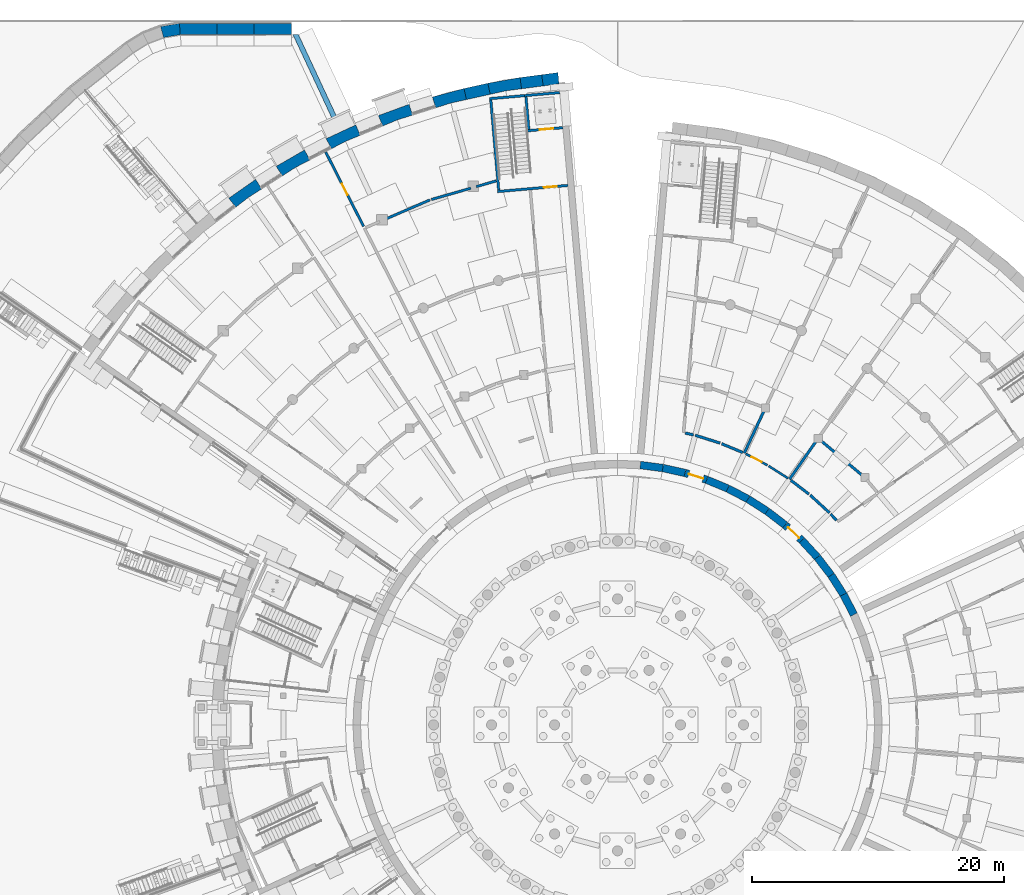
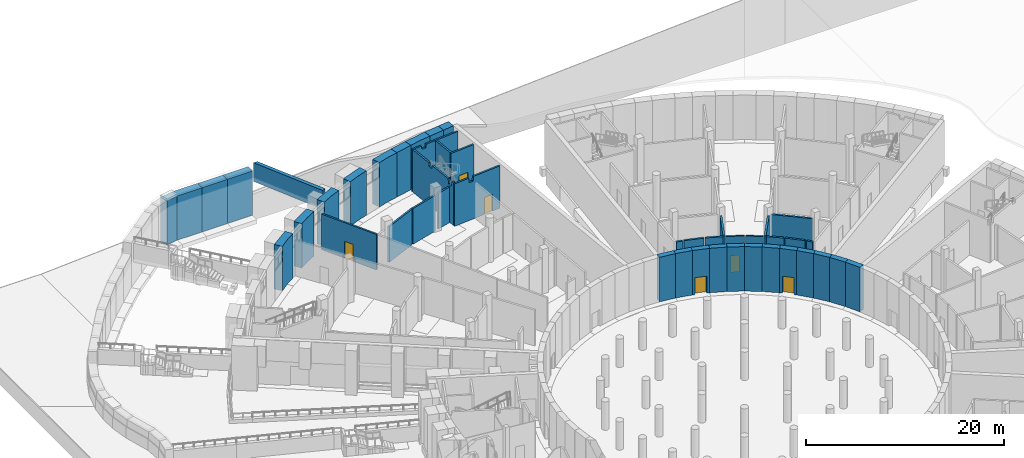
# One storey, part 46 of 65: 47 walls, 6 doors, 6 openings.
"""IFC4 building model written with IfcOpenShell, lengths in metres."""

from ifc_helpers import new_model, si_unit, direction, frame, frame_2d, origin, place, context, subcontext, project, spatial, polyline, rectangle, outline, extrude, material, layer, layer_set, type_object, element, fill, save


model = new_model("IFC4")

# Units and contexts
model_context = context("Model", 3, precision=1e-05, world=origin(), true_north=direction((0.0, 1.0)))
body_context = subcontext(model_context, "Body", "Model", "MODEL_VIEW")
ifc_project = project(units=[si_unit("LENGTHUNIT", "METRE"), si_unit("AREAUNIT", "SQUARE_METRE"), si_unit("VOLUMEUNIT", "CUBIC_METRE"), si_unit("PLANEANGLEUNIT", "RADIAN"), si_unit("MASSUNIT", "GRAM", prefix="KILO")], contexts=[model_context])

# Site, building, storey
site_placement = place(None, origin())
site = spatial("IfcSite", under=ifc_project, at=site_placement, CompositionType="ELEMENT")
building_placement = place(site_placement, origin())
building = spatial("IfcBuilding", under=site, at=building_placement, Name="Volute Hill Aquarium", CompositionType="ELEMENT")
storey_placement = place(building_placement, frame((0.0, 0.0, -5.5)))
storey = spatial("IfcBuildingStorey", under=building, at=storey_placement, Name="L00", CompositionType="ELEMENT", Elevation=-5.5)

# Wall, opening, door
ifc_material_1 = material(Name="Concrete C30/37", Category="concrete")
ifc_layer_1 = layer(ifc_material_1, 0.199951171875)
ifc_layer_set_1 = layer_set([ifc_layer_1], Name="Core wall 200 REI 60")
wall_type_1 = type_object("IfcWallType", Name="Core wall 200 REI 60", PredefinedType="SHEAR", material=ifc_layer_set_1)
wall_1_placement = place(storey_placement, frame((-3.947021484375, 42.81884765625, 0.0), z_axis=(0.0, 0.0, 1.0), x_axis=(-0.996195137027, -0.087150725554, 0.0)))
wall_1 = element("IfcWall", 1, at=wall_1_placement, inside=storey, type_object=wall_type_1, Name="wc/S6-A/L00/in", PredefinedType="SHEAR", context=body_context, shape_type="SweptSolid", body=[
    extrude(outline(polyline([(0.0, 0.0), (5.599853515625, 0.0), (5.60009765625, 5.25), (3.853271484375, 5.25), (3.80322265625, 4.679931640625), (3.30322265625, 4.679931640625), (3.253173828125, 5.25), (0.0, 5.25), (0.0, 0.0)])), frame((0.0, 0.10009765625, 0.0), z_axis=(0.0, -1.0, 0.0), x_axis=(1.0, 0.0, 0.0)), (0.0, 0.0, 1.0), 0.199951171875),
])
opening_1_placement = place(wall_1_placement, frame((0.89990234375, 0.0, 0.0)))
opening_1 = element("IfcOpeningElement", 2, at=opening_1_placement, cuts=wall_1, Name="Opening D6.00.AS", PredefinedType="OPENING", context=body_context, shape_type="SweptSolid", body=[
    extrude(rectangle(XDim=1.0, YDim=2.10009765625, at=frame_2d((0.5, 1.050048828125))), frame((0.0, 0.10986328125, 0.0), z_axis=(0.0, -1.0, 0.0), x_axis=(1.0, 0.0, 0.0)), (0.0, 0.0, 1.0), 0.219970703125),
])
ifc_material_2 = material(Name="Timber, fire-rated", Category="wood")
door_type_1 = type_object("IfcDoorType", Name="Door 1000 x 2100 single EI1 30", OperationType="SINGLE_SWING_LEFT", PredefinedType="DOOR", material=ifc_material_2)
door_1_placement = place(opening_1_placement, origin())
door_1 = element("IfcDoor", 3, at=door_1_placement, inside=storey, type_object=door_type_1, Name="d/S6-A/L00/st", OperationType="SINGLE_SWING_RIGHT", OverallHeight=2.10009765625, OverallWidth=1.0, PredefinedType="DOOR", context=body_context, shape_type="SweptSolid", body=[
    extrude(rectangle(XDim=1.0, YDim=2.10009765625, at=frame_2d((0.5, 1.050048828125))), frame((0.0, 0.02490234375, 0.0), z_axis=(0.0, -1.0, 0.0), x_axis=(1.0, 0.0, 0.0)), (0.0, 0.0, 1.0), 0.050048828125),
])
fill(opening_1, door_1)

# Walls
wall_2_placement = place(storey_placement, frame((-9.434814453125, 42.439208984375, 0.0), z_axis=(0.0, 0.0, 1.0), x_axis=(-0.087144656612, 0.996195667941, 0.0)))
element("IfcWall", 4, at=wall_2_placement, inside=storey, type_object=wall_type_1, Name="wc/S6-A/L00/side", PredefinedType="SHEAR", context=body_context, shape_type="SweptSolid", body=[
    extrude(outline(polyline([(0.0, 0.0), (7.199951171875, 0.0), (7.199951171875, 5.25), (4.36767578125, 5.25), (4.317626953125, 4.830078125), (3.817626953125, 4.830078125), (3.767578125, 5.25), (0.942626953125, 5.25), (0.892578125, 4.6298828125), (0.392578125, 4.6298828125), (0.342529296875, 5.25), (0.0, 5.25), (0.0, 0.0)])), frame((0.0, 0.10009765625, 0.0), z_axis=(0.0, -1.0, 0.0), x_axis=(1.0, 0.0, 0.0)), (0.0, 0.0, 1.0), 0.199951171875),
])
wall_3_placement = place(storey_placement, frame((-7.381103515625, 49.94677734375, 0.0), z_axis=(0.0, 0.0, 1.0), x_axis=(-0.996192013865, -0.087186418157, 0.0)))
element("IfcWall", 5, at=wall_3_placement, inside=storey, type_object=wall_type_1, Name="wc/S6-A/L00/out-b", PredefinedType="SHEAR", context=body_context, shape_type="SweptSolid", body=[
    extrude(outline(polyline([(0.0, 0.0), (2.80029296875, 0.0), (2.800048828125, 5.25), (1.71826171875, 5.25), (1.668212890625, 4.830078125), (1.168212890625, 4.830078125), (1.1181640625, 5.25), (0.0, 5.25), (0.0, 0.0)])), frame((0.0, 0.10009765625, 0.0), z_axis=(0.0, -1.0, 0.0), x_axis=(1.0, 0.0, 0.0)), (0.0, 0.0, 1.0), 0.199951171875),
])

# Wall, opening, door
ifc_material_3 = material(Name="Gypsum board on steel studs", Category="steel")
ifc_layer_2 = layer(ifc_material_3, 0.175048828125)
ifc_layer_set_2 = layer_set([ifc_layer_2], Name="Corridor partition 175 EI 60")
wall_type_2 = type_object("IfcWallType", Name="Corridor partition 175 EI 60", PredefinedType="PARTITIONING", material=ifc_layer_set_2)
wall_4_placement = place(storey_placement, frame((10.18017578125, 21.506591796875, 0.0), z_axis=(0.0, 0.0, 1.0), x_axis=(0.887004350299, -0.461761066517, 0.0)))
wall_4 = element("IfcWall", 6, at=wall_4_placement, inside=storey, type_object=wall_type_2, Name="pw/S5/L00/026", PredefinedType="PARTITIONING", context=body_context, shape_type="SweptSolid", body=[
    extrude(rectangle(XDim=1.938720703125, YDim=0.175048828125, at=frame_2d((0.96923828125, 0.0))), origin(), (0.0, 0.0, 1.0), 4.489990234375),
])
opening_2_placement = place(wall_4_placement, frame((0.519287109375, 0.0, 0.0)))
opening_2 = element("IfcOpeningElement", 7, at=opening_2_placement, cuts=wall_4, Name="Opening D5.00.01", PredefinedType="OPENING", context=body_context, shape_type="SweptSolid", body=[
    extrude(rectangle(XDim=0.89990234375, YDim=2.10009765625, at=frame_2d((0.449951171875, 1.050048828125))), frame((0.0, 0.097412109375, 0.0), z_axis=(0.0, -1.0, 0.0), x_axis=(1.0, 0.0, 0.0)), (0.0, 0.0, 1.0), 0.195068359375),
])
ifc_material_4 = material(Name="Timber, fire-rated", Category="wood")
door_type_2 = type_object("IfcDoorType", Name="Door 900 x 2100 wc single EI1 30", OperationType="SINGLE_SWING_LEFT", PredefinedType="DOOR", material=ifc_material_4)
door_2_placement = place(opening_2_placement, origin())
door_2 = element("IfcDoor", 8, at=door_2_placement, inside=storey, type_object=door_type_2, Name="d/S5/L00/01", OperationType="SINGLE_SWING_LEFT", OverallHeight=2.10009765625, OverallWidth=0.89990234375, PredefinedType="DOOR", context=body_context, shape_type="SweptSolid", body=[
    extrude(rectangle(XDim=0.89990234375, YDim=2.10009765625, at=frame_2d((0.449951171875, 1.050048828125))), frame((0.0, 0.02490234375, 0.0), z_axis=(0.0, -1.0, 0.0), x_axis=(1.0, 0.0, 0.0)), (0.0, 0.0, 1.0), 0.050048828125),
])
fill(opening_2, door_2)

# Walls
wall_5_placement = place(storey_placement, frame((11.9990234375, 20.54833984375, 0.0), z_axis=(0.0, 0.0, 1.0), x_axis=(0.843357799578, -0.537352418708, 0.0)))
element("IfcWall", 9, at=wall_5_placement, inside=storey, type_object=wall_type_2, Name="pw/S5/L00/028", PredefinedType="PARTITIONING", context=body_context, shape_type="SweptSolid", body=[
    extrude(rectangle(XDim=1.821533203125, YDim=0.175048828125, at=frame_2d((0.91064453125, 0.0))), origin(), (0.0, 0.0, 1.0), 4.489990234375),
])
ifc_material_5 = material(Name="Concrete C35/45", Category="concrete")
ifc_layer_3 = layer(ifc_material_5, 0.60009765625)
ifc_layer_set_3 = layer_set([ifc_layer_3], Name="Drum wall C35/45 600")
wall_type_3 = type_object("IfcWallType", Name="Drum wall C35/45 600", PredefinedType="SHEAR", material=ifc_layer_set_3)
for number, where, z_axis, x_axis, name in (
    (10, (18.760498046875, 8.748291015625, 0.0), (0.0, 0.0, 1.0), (-0.461701764231, 0.887035219654, 0.0), "sw/DR/L00/5"),
    (11, (17.9267578125, 10.35009765625, 0.0), (0.0, 0.0, 1.0), (-0.537391510251, 0.843332890803, 0.0), "sw/DR/L00/6"),
):
    element("IfcWall", number, at=place(storey_placement, frame(where, z_axis=z_axis, x_axis=x_axis)), inside=storey, type_object=wall_type_3, Name=name, PredefinedType="SHEAR", context=body_context, shape_type="SweptSolid", body=[
        extrude(rectangle(XDim=1.805908203125, YDim=0.60009765625, at=frame_2d((0.90283203125, 0.0))), origin(), (0.0, 0.0, 1.0), 5.5),
    ])
wall_6_placement = place(storey_placement, frame((16.956298828125, 11.873046875, 0.0), z_axis=(0.0, 0.0, 1.0), x_axis=(-0.608704004289, 0.793397400526, 0.0)))
element("IfcWall", 12, at=wall_6_placement, inside=storey, type_object=wall_type_3, Name="sw/DR/L00/7", PredefinedType="SHEAR", context=body_context, shape_type="SweptSolid", body=[
    extrude(rectangle(XDim=1.8056640625, YDim=0.60009765625, at=frame_2d((0.90283203125, 0.0))), origin(), (0.0, 0.0, 1.0), 5.5),
])
wall_7_placement = place(storey_placement, frame((15.857177734375, 13.3056640625, 0.0), z_axis=(0.0, 0.0, 1.0), x_axis=(-0.675540954152, 0.737322466268, 0.0)))
element("IfcWall", 13, at=wall_7_placement, inside=storey, type_object=wall_type_3, Name="sw/DR/L00/8", PredefinedType="SHEAR", context=body_context, shape_type="SweptSolid", body=[
    extrude(rectangle(XDim=1.805908203125, YDim=0.60009765625, at=frame_2d((0.90283203125, 0.0))), origin(), (0.0, 0.0, 1.0), 5.5),
])

# Wall, opening, door
wall_8_placement = place(storey_placement, frame((14.63720703125, 14.63720703125, 0.0), z_axis=(0.0, 0.0, 1.0), x_axis=(-0.737322466268, 0.675540954152, 0.0)))
wall_8 = element("IfcWall", 14, at=wall_8_placement, inside=storey, type_object=wall_type_3, Name="sw/DR/L00/9", PredefinedType="SHEAR", context=body_context, shape_type="SweptSolid", body=[
    extrude(rectangle(XDim=1.805908203125, YDim=0.60009765625, at=frame_2d((0.90283203125, 0.0))), origin(), (0.0, 0.0, 1.0), 5.5),
])
opening_3_placement = place(wall_8_placement, frame((0.302978515625, 0.0, 0.0)))
opening_3 = element("IfcOpeningElement", 15, at=opening_3_placement, cuts=wall_8, Name="Opening D5.00.R1", PredefinedType="OPENING", context=body_context, shape_type="SweptSolid", body=[
    extrude(rectangle(XDim=1.199951171875, YDim=2.10009765625, at=frame_2d((0.60009765625, 1.050048828125))), frame((0.0, 0.31005859375, 0.0), z_axis=(0.0, -1.0, 0.0), x_axis=(1.0, 0.0, 0.0)), (0.0, 0.0, 1.0), 0.6201171875),
])
ifc_material_6 = material(Name="Timber, fire-rated", Category="wood")
door_type_3 = type_object("IfcDoorType", Name="Door 1200 x 2100 drum double EI1 30", OperationType="DOUBLE_DOOR_SINGLE_SWING", PredefinedType="DOOR", material=ifc_material_6)
door_3_placement = place(opening_3_placement, origin())
door_3 = element("IfcDoor", 16, at=door_3_placement, inside=storey, type_object=door_type_3, Name="d/S5/L00/dr1", OperationType="SINGLE_SWING_LEFT", OverallHeight=2.10009765625, OverallWidth=1.199951171875, PredefinedType="DOOR", context=body_context, shape_type="SweptSolid", body=[
    extrude(rectangle(XDim=1.199951171875, YDim=2.10009765625, at=frame_2d((0.60009765625, 1.050048828125))), frame((0.0, 0.02490234375, 0.0), z_axis=(0.0, -1.0, 0.0), x_axis=(1.0, 0.0, 0.0)), (0.0, 0.0, 1.0), 0.050048828125),
])
fill(opening_3, door_3)

# Walls
wall_9_placement = place(storey_placement, frame((13.3056640625, 15.857177734375, 0.0), z_axis=(0.0, 0.0, 1.0), x_axis=(-0.793397400526, 0.608704004289, 0.0)))
element("IfcWall", 17, at=wall_9_placement, inside=storey, type_object=wall_type_3, Name="sw/DR/L00/10", PredefinedType="SHEAR", context=body_context, shape_type="SweptSolid", body=[
    extrude(rectangle(XDim=1.8056640625, YDim=0.60009765625, at=frame_2d((0.90283203125, 0.0))), origin(), (0.0, 0.0, 1.0), 5.5),
])
for number, where, z_axis, x_axis, name in (
    (18, (11.873046875, 16.956298828125, 0.0), (0.0, 0.0, 1.0), (-0.843332890803, 0.537391510251, 0.0), "sw/DR/L00/11"),
    (19, (10.35009765625, 17.9267578125, 0.0), (0.0, 0.0, 1.0), (-0.887035219654, 0.461701764231, 0.0), "sw/DR/L00/12"),
    (20, (8.748291015625, 18.760498046875, 0.0), (0.0, 0.0, 1.0), (-0.923866889322, 0.382713954298, 0.0), "sw/DR/L00/13"),
):
    element("IfcWall", number, at=place(storey_placement, frame(where, z_axis=z_axis, x_axis=x_axis)), inside=storey, type_object=wall_type_3, Name=name, PredefinedType="SHEAR", context=body_context, shape_type="SweptSolid", body=[
        extrude(rectangle(XDim=1.805908203125, YDim=0.60009765625, at=frame_2d((0.90283203125, 0.0))), origin(), (0.0, 0.0, 1.0), 5.5),
    ])

# Wall, opening, door
wall_10_placement = place(storey_placement, frame((7.079833984375, 19.45166015625, 0.0), z_axis=(0.0, 0.0, 1.0), x_axis=(-0.953721512733, 0.300691330354, 0.0)))
wall_10 = element("IfcWall", 21, at=wall_10_placement, inside=storey, type_object=wall_type_3, Name="sw/DR/L00/14", PredefinedType="SHEAR", context=body_context, shape_type="SweptSolid", body=[
    extrude(rectangle(XDim=1.8056640625, YDim=0.60009765625, at=frame_2d((0.90283203125, 0.0))), origin(), (0.0, 0.0, 1.0), 5.5),
])
opening_4_placement = place(wall_10_placement, frame((0.302978515625, 0.0, 0.0)))
opening_4 = element("IfcOpeningElement", 22, at=opening_4_placement, cuts=wall_10, Name="Opening D5.00.R2", PredefinedType="OPENING", context=body_context, shape_type="SweptSolid", body=[
    extrude(rectangle(XDim=1.199951171875, YDim=2.10009765625, at=frame_2d((0.60009765625, 1.050048828125))), frame((0.0, 0.31005859375, 0.0), z_axis=(0.0, -1.0, 0.0), x_axis=(1.0, 0.0, 0.0)), (0.0, 0.0, 1.0), 0.6201171875),
])
door_4_placement = place(opening_4_placement, origin())
door_4 = element("IfcDoor", 23, at=door_4_placement, inside=storey, type_object=door_type_3, Name="d/S5/L00/dr2", OperationType="SINGLE_SWING_LEFT", OverallHeight=2.10009765625, OverallWidth=1.199951171875, PredefinedType="DOOR", context=body_context, shape_type="SweptSolid", body=[
    extrude(rectangle(XDim=1.199951171875, YDim=2.10009765625, at=frame_2d((0.60009765625, 1.050048828125))), frame((0.0, 0.02490234375, 0.0), z_axis=(0.0, -1.0, 0.0), x_axis=(1.0, 0.0, 0.0)), (0.0, 0.0, 1.0), 0.050048828125),
])
fill(opening_4, door_4)

# Walls
wall_11_placement = place(storey_placement, frame((5.357666015625, 19.99462890625, 0.0), z_axis=(0.0, 0.0, 1.0), x_axis=(-0.976298259567, 0.216429453554, 0.0)))
element("IfcWall", 24, at=wall_11_placement, inside=storey, type_object=wall_type_3, Name="sw/DR/L00/15", PredefinedType="SHEAR", context=body_context, shape_type="SweptSolid", body=[
    extrude(rectangle(XDim=1.805908203125, YDim=0.60009765625, at=frame_2d((0.90283203125, 0.0))), origin(), (0.0, 0.0, 1.0), 5.5),
])
wall_12_placement = place(storey_placement, frame((3.594482421875, 20.385498046875, 0.0), z_axis=(0.0, 0.0, 1.0), x_axis=(-0.991451994433, 0.130471999813, 0.0)))
element("IfcWall", 25, at=wall_12_placement, inside=storey, type_object=wall_type_3, Name="sw/DR/L00/16", PredefinedType="SHEAR", context=body_context, shape_type="SweptSolid", body=[
    extrude(rectangle(XDim=1.8056640625, YDim=0.60009765625, at=frame_2d((0.90283203125, 0.0))), origin(), (0.0, 0.0, 1.0), 5.5),
])

# Wall, opening, door
ifc_material_7 = material(Name="Masonry blockwork", Category="masonry")
ifc_layer_4 = layer(ifc_material_7, 0.199951171875)
ifc_layer_set_4 = layer_set([ifc_layer_4], Name="Fire partition 200 EI 60")
wall_type_4 = type_object("IfcWallType", Name="Fire partition 200 EI 60", PredefinedType="PARTITIONING", material=ifc_layer_set_4)
wall_13_placement = place(storey_placement, frame((-23.1640625, 45.462158203125, 0.0), z_axis=(0.0, 0.0, 1.0), x_axis=(0.453983208185, -0.891010239383, 0.0)))
wall_13 = element("IfcWall", 26, at=wall_13_placement, inside=storey, type_object=wall_type_4, Name="pw/S6/L00/004", PredefinedType="PARTITIONING", context=body_context, shape_type="SweptSolid", body=[
    extrude(rectangle(XDim=6.623291015625, YDim=0.199951171875, at=frame_2d((3.3115234375, 0.0))), origin(), (0.0, 0.0, 1.0), 4.409912109375),
])
opening_5_placement = place(wall_13_placement, frame((2.811767578125, 0.0, 0.0)))
opening_5 = element("IfcOpeningElement", 27, at=opening_5_placement, cuts=wall_13, Name="Opening D6.00.07", PredefinedType="OPENING", context=body_context, shape_type="SweptSolid", body=[
    extrude(rectangle(XDim=1.0, YDim=2.10009765625, at=frame_2d((0.5, 1.050048828125))), frame((0.0, 0.10986328125, 0.0), z_axis=(0.0, -1.0, 0.0), x_axis=(1.0, 0.0, 0.0)), (0.0, 0.0, 1.0), 0.219970703125),
])
door_5_placement = place(opening_5_placement, origin())
door_5 = element("IfcDoor", 28, at=door_5_placement, inside=storey, type_object=door_type_1, Name="d/S6/L00/07", OperationType="SINGLE_SWING_LEFT", OverallHeight=2.10009765625, OverallWidth=1.0, PredefinedType="DOOR", context=body_context, shape_type="SweptSolid", body=[
    extrude(rectangle(XDim=1.0, YDim=2.10009765625, at=frame_2d((0.5, 1.050048828125))), frame((0.0, 0.02490234375, 0.0), z_axis=(0.0, -1.0, 0.0), x_axis=(1.0, 0.0, 0.0)), (0.0, 0.0, 1.0), 0.050048828125),
])
fill(opening_5, door_5)

# Walls
wall_14_placement = place(storey_placement, frame((-18.462158203125, 40.12890625, 0.0), z_axis=(0.0, 0.0, 1.0), x_axis=(0.918233153658, 0.396040244828, 0.0)))
element("IfcWall", 29, at=wall_14_placement, inside=storey, type_object=wall_type_4, Name="pw/S6/L00/015", PredefinedType="PARTITIONING", context=body_context, shape_type="SweptSolid", body=[
    extrude(rectangle(XDim=3.887939453125, YDim=0.199951171875, at=frame_2d((1.94384765625, 0.0))), origin(), (0.0, 0.0, 1.0), 4.409912109375),
])
wall_15_placement = place(storey_placement, frame((-14.767333984375, 41.70458984375, 0.0), z_axis=(0.0, 0.0, 1.0), x_axis=(0.961273910013, 0.275594756714, 0.0)))
element("IfcWall", 30, at=wall_15_placement, inside=storey, type_object=wall_type_4, Name="pw/S6/L00/017", PredefinedType="PARTITIONING", context=body_context, shape_type="SweptSolid", body=[
    extrude(rectangle(XDim=3.24755859375, YDim=0.199951171875, at=frame_2d((1.623779296875, 0.0))), origin(), (0.0, 0.0, 1.0), 4.409912109375),
])
wall_16_placement = place(storey_placement, frame((-11.213623046875, 42.7236328125, 0.0), z_axis=(0.0, 0.0, 1.0), x_axis=(0.961266301996, 0.275621292078, 0.0)))
element("IfcWall", 31, at=wall_16_placement, inside=storey, type_object=wall_type_4, Name="pw/S6/L00/032", PredefinedType="PARTITIONING", context=body_context, shape_type="SweptSolid", body=[
    extrude(rectangle(XDim=1.6474609375, YDim=0.199951171875, at=frame_2d((0.82373046875, 0.0))), origin(), (0.0, 0.0, 1.0), 4.409912109375),
])
ifc_material_8 = material(Name="Precast concrete C40/50", Category="concrete")
ifc_layer_5 = layer(ifc_material_8, 0.89990234375)
ifc_layer_set_5 = layer_set([ifc_layer_5], Name="Outer pier precast concrete C40/50 900")
wall_type_5 = type_object("IfcWallType", Name="Outer pier precast concrete C40/50 900", PredefinedType="NOTDEFINED", material=ifc_layer_set_5)
wall_17_placement = place(storey_placement, origin())
element("IfcWall", 32, at=wall_17_placement, inside=storey, type_object=wall_type_5, Name="Outer pier OWP S6 L00 1", PredefinedType="NOTDEFINED", context=body_context, shape_type="SweptSolid", body=[
    extrude(outline(polyline([(-4.652099609375, 50.87890625), (-4.730712890625, 51.7763671875), (-6.020751953125, 51.6064453125), (-5.9033203125, 50.714111328125), (-4.652099609375, 50.87890625)])), origin(), (0.0, 0.0, 1.0), 5.5),
])
wall_18_placement = place(storey_placement, origin())
element("IfcWall", 33, at=wall_18_placement, inside=storey, type_object=wall_type_5, Name="Outer pier OWP S6 L00 2", PredefinedType="NOTDEFINED", context=body_context, shape_type="SweptSolid", body=[
    extrude(outline(polyline([(-7.6220703125, 50.488037109375), (-7.739501953125, 51.380126953125), (-10.30029296875, 50.9287109375), (-10.10546875, 50.050048828125), (-8.873291015625, 50.3232421875), (-7.6220703125, 50.488037109375)])), origin(), (0.0, 0.0, 1.0), 5.5),
])
wall_19_placement = place(storey_placement, origin())
element("IfcWall", 34, at=wall_19_placement, inside=storey, type_object=wall_type_5, Name="Outer pier OWP S6 L00 3", PredefinedType="NOTDEFINED", context=body_context, shape_type="SweptSolid", body=[
    extrude(outline(polyline([(-11.993408203125, 49.631591796875), (-12.188232421875, 50.51025390625), (-14.69970703125, 49.837158203125), (-14.42919921875, 48.97900390625), (-13.2255859375, 49.3583984375), (-11.993408203125, 49.631591796875)])), origin(), (0.0, 0.0, 1.0), 5.5),
])
wall_20_placement = place(storey_placement, origin())
element("IfcWall", 35, at=wall_20_placement, inside=storey, type_object=wall_type_5, Name="Outer pier OWP S6 L00 4", PredefinedType="NOTDEFINED", context=body_context, shape_type="SweptSolid", body=[
    extrude(outline(polyline([(-16.2734375, 48.3974609375), (-16.544189453125, 49.255859375), (-18.987548828125, 48.366455078125), (-18.64306640625, 47.534912109375), (-17.47705078125, 48.017822265625), (-16.2734375, 48.3974609375)])), origin(), (0.0, 0.0, 1.0), 5.5),
])
wall_21_placement = place(storey_placement, origin())
element("IfcWall", 36, at=wall_21_placement, inside=storey, type_object=wall_type_5, Name="Outer pier OWP S6 L00 5", PredefinedType="NOTDEFINED", context=body_context, shape_type="SweptSolid", body=[
    extrude(outline(polyline([(-20.4296875, 46.794921875), (-20.774169921875, 47.62646484375), (-23.130615234375, 46.527587890625), (-22.715087890625, 45.729248046875), (-21.595703125, 46.31201171875), (-20.4296875, 46.794921875)])), origin(), (0.0, 0.0, 1.0), 5.5),
])
wall_22_placement = place(storey_placement, origin())
element("IfcWall", 37, at=wall_22_placement, inside=storey, type_object=wall_type_5, Name="Outer pier OWP S6 L00 6", PredefinedType="NOTDEFINED", context=body_context, shape_type="SweptSolid", body=[
    extrude(outline(polyline([(-24.430419921875, 44.836181640625), (-24.845947265625, 45.634521484375), (-27.09765625, 44.33447265625), (-26.6142578125, 43.575439453125), (-25.5498046875, 44.25341796875), (-24.430419921875, 44.836181640625)])), origin(), (0.0, 0.0, 1.0), 5.5),
])
wall_23_placement = place(storey_placement, origin())
element("IfcWall", 38, at=wall_23_placement, inside=storey, type_object=wall_type_5, Name="Outer pier OWP S6 L00 7", PredefinedType="NOTDEFINED", context=body_context, shape_type="SweptSolid", body=[
    extrude(outline(polyline([(-28.2451171875, 42.536376953125), (-28.728759765625, 43.29541015625), (-30.858642578125, 41.803955078125), (-30.310791015625, 41.090087890625), (-29.3095703125, 41.8583984375), (-28.2451171875, 42.536376953125)])), origin(), (0.0, 0.0, 1.0), 5.5),
])
ifc_material_9 = material(Name="Masonry blockwork", Category="masonry")
ifc_layer_6 = layer(ifc_material_9, 0.215087890625)
ifc_layer_set_6 = layer_set([ifc_layer_6], Name="Plant room wall 215 EI 60")
wall_type_6 = type_object("IfcWallType", Name="Plant room wall 215 EI 60", PredefinedType="PARTITIONING", material=ifc_layer_set_6)
wall_24_placement = place(storey_placement, frame((16.107666015625, 22.58740234375, 0.0), z_axis=(0.0, 0.0, 1.0), x_axis=(0.766073228099, -0.642753303523, 0.0)))
element("IfcWall", 39, at=wall_24_placement, inside=storey, type_object=wall_type_6, Name="pw/S5/L00/015", PredefinedType="PARTITIONING", context=body_context, shape_type="SweptSolid", body=[
    extrude(rectangle(XDim=4.359375, YDim=0.215087890625, at=frame_2d((2.1796875, 0.0))), origin(), (0.0, 0.0, 1.0), 4.489990234375),
])
for number, where, z_axis, x_axis, name in (
    (40, (11.631591796875, 24.944091796875, 0.0), (0.0, 0.0, 1.0), (-0.422598231928, -0.906317126822, 0.0), "pw/S5/L00/019"),
    (41, (13.651123046875, 19.495849609375, 0.0), (0.0, 0.0, 1.0), (0.573563571015, 0.819161052544, 0.0), "pw/S5/L00/020"),
):
    element("IfcWall", number, at=place(storey_placement, frame(where, z_axis=z_axis, x_axis=x_axis)), inside=storey, type_object=wall_type_6, Name=name, PredefinedType="PARTITIONING", context=body_context, shape_type="SweptSolid", body=[
        extrude(rectangle(XDim=3.722900390625, YDim=0.215087890625, at=frame_2d((1.861328125, 0.0))), origin(), (0.0, 0.0, 1.0), 4.489990234375),
    ])
for number, where, z_axis, x_axis, name in (
    (42, (15.29833984375, 18.23193359375, 0.0), (0.0, 0.0, 1.0), (0.737241988031, -0.675628782013, 0.0), "pw/S5/L00/025"),
    (43, (6.159912109375, 22.989013671875, 0.0), (0.0, 0.0, 1.0), (0.953730050022, -0.300664250759, 0.0), "pw/S5/L00/027"),
):
    element("IfcWall", number, at=place(storey_placement, frame(where, z_axis=z_axis, x_axis=x_axis)), inside=storey, type_object=wall_type_6, Name=name, PredefinedType="PARTITIONING", context=body_context, shape_type="SweptSolid", body=[
        extrude(rectangle(XDim=2.076416015625, YDim=0.215087890625, at=frame_2d((1.0380859375, 0.0))), origin(), (0.0, 0.0, 1.0), 4.489990234375),
    ])
wall_25_placement = place(storey_placement, frame((8.26708984375, 22.31201171875, 0.0), z_axis=(0.0, 0.0, 1.0), x_axis=(0.923912776695, -0.382603163944, 0.0)))
element("IfcWall", 44, at=wall_25_placement, inside=storey, type_object=wall_type_6, Name="pw/S5/L00/029", PredefinedType="PARTITIONING", context=body_context, shape_type="SweptSolid", body=[
    extrude(rectangle(XDim=1.80126953125, YDim=0.215087890625, at=frame_2d((0.900634765625, 0.0))), origin(), (0.0, 0.0, 1.0), 4.489990234375),
])
wall_26_placement = place(storey_placement, frame((13.76025390625, 19.412109375, 0.0), z_axis=(0.0, 0.0, 1.0), x_axis=(0.793364132735, -0.608747363764, 0.0)))
element("IfcWall", 45, at=wall_26_placement, inside=storey, type_object=wall_type_6, Name="pw/S5/L00/030", PredefinedType="PARTITIONING", context=body_context, shape_type="SweptSolid", body=[
    extrude(rectangle(XDim=1.801025390625, YDim=0.215087890625, at=frame_2d((0.900390625, 0.0))), origin(), (0.0, 0.0, 1.0), 4.489990234375),
])
wall_27_placement = place(storey_placement, frame((5.37548828125, 23.162841796875, 0.0), z_axis=(0.0, 0.0, 1.0), x_axis=(0.976324886476, -0.216309306429, 0.0)))
element("IfcWall", 46, at=wall_27_placement, inside=storey, type_object=wall_type_6, Name="pw/S5/L00/035", PredefinedType="PARTITIONING", context=body_context, shape_type="SweptSolid", body=[
    extrude(rectangle(XDim=0.666015625, YDim=0.215087890625, at=frame_2d((0.3330078125, 0.0))), origin(), (0.0, 0.0, 1.0), 4.489990234375),
])
wall_28_placement = place(storey_placement, frame((16.922119140625, 16.727783203125, 0.0), z_axis=(0.0, 0.0, 1.0), x_axis=(0.675442297146, -0.737412844495, 0.0)))
element("IfcWall", 47, at=wall_28_placement, inside=storey, type_object=wall_type_6, Name="pw/S5/L00/036", PredefinedType="PARTITIONING", context=body_context, shape_type="SweptSolid", body=[
    extrude(rectangle(XDim=0.665771484375, YDim=0.215087890625, at=frame_2d((0.3330078125, 0.0))), origin(), (0.0, 0.0, 1.0), 4.489990234375),
])
ifc_material_10 = material(Name="Concrete C40/50", Category="concrete")
ifc_layer_7 = layer(ifc_material_10, 0.89990234375)
ifc_layer_set_7 = layer_set([ifc_layer_7], Name="Plinth wall limestone clad 900")
wall_type_7 = type_object("IfcWallType", Name="Plinth wall limestone clad 900", PredefinedType="NOTDEFINED", material=ifc_layer_set_7)
wall_29_placement = place(storey_placement, frame((-7.680908203125, 50.93408203125, 0.0), z_axis=(0.0, 0.0, 1.0), x_axis=(0.991441828204, 0.130549229367, 0.0)))
element("IfcWall", 48, at=wall_29_placement, inside=storey, type_object=wall_type_7, Name="Plinth wall OWL S6 L00 1", PredefinedType="NOTDEFINED", context=body_context, shape_type="SweptSolid", body=[
    extrude(rectangle(XDim=1.733642578125, YDim=0.89990234375, at=frame_2d((0.86669921875, 0.0))), origin(), (0.0, 0.0, 1.0), 5.5),
])
wall_30_placement = place(storey_placement, frame((-12.0908203125, 50.07080078125, 0.0), z_axis=(0.0, 0.0, 1.0), x_axis=(0.976279059315, 0.216516046389, 0.0)))
element("IfcWall", 49, at=wall_30_placement, inside=storey, type_object=wall_type_7, Name="Plinth wall OWL S6 L00 2", PredefinedType="NOTDEFINED", context=body_context, shape_type="SweptSolid", body=[
    extrude(rectangle(XDim=1.933837890625, YDim=0.89990234375, at=frame_2d((0.966796875, 0.0))), origin(), (0.0, 0.0, 1.0), 5.5),
])
ifc_material_11 = material(Name="Concrete C30/37", Category="concrete")
ifc_layer_8 = layer(ifc_material_11, 0.39990234375)
ifc_layer_set_8 = layer_set([ifc_layer_8], Name="Retaining wall C30/37 400")
wall_type_8 = type_object("IfcWallType", Name="Retaining wall C30/37 400", PredefinedType="SOLIDWALL", material=ifc_layer_set_8)
wall_31_placement = place(storey_placement, frame((0.0, 0.0, 3.625)))
element("IfcWall", 50, at=wall_31_placement, inside=storey, type_object=wall_type_8, Name="rw/115/L00/0", PredefinedType="SOLIDWALL", context=body_context, shape_type="SweptSolid", body=[
    extrude(outline(polyline([(-22.157470703125, 47.04345703125), (-21.794921875, 47.212646484375), (-25.329345703125, 54.7919921875), (-25.7705078125, 54.79150390625), (-22.157470703125, 47.04345703125)])), origin(), (0.0, 0.0, 1.0), 2.324951171875),
])
ifc_material_12 = material(Name="Concrete C30/37", Category="concrete")
ifc_layer_9 = layer(ifc_material_12, 0.199951171875)
ifc_layer_set_9 = layer_set([ifc_layer_9], Name="Shaft wall 200 EI 60")
wall_type_9 = type_object("IfcWallType", Name="Shaft wall 200 EI 60", PredefinedType="SOLIDWALL", material=ifc_layer_set_9)
wall_32_placement = place(storey_placement, frame((-4.591796875, 50.19091796875, 0.0), z_axis=(0.0, 0.0, 1.0), x_axis=(-0.996191351034, -0.087193991338, 0.0)))
element("IfcWall", 51, at=wall_32_placement, inside=storey, type_object=wall_type_9, Name="wc/S6-A/L00/out-a", PredefinedType="SOLIDWALL", context=body_context, shape_type="SweptSolid", body=[
    extrude(rectangle(XDim=2.800048828125, YDim=0.199951171875, at=frame_2d((1.39990234375, 0.0))), origin(), (0.0, 0.0, 1.0), 5.25),
])

# Wall, opening, door
wall_33_placement = place(storey_placement, frame((-4.347900390625, 47.4013671875, 0.0), z_axis=(0.0, 0.0, 1.0), x_axis=(-0.996198921169, -0.087107459278, 0.0)))
wall_33 = element("IfcWall", 52, at=wall_33_placement, inside=storey, type_object=wall_type_9, Name="wc/S6-A/L00/front", PredefinedType="SOLIDWALL", context=body_context, shape_type="SweptSolid", body=[
    extrude(rectangle(XDim=2.800048828125, YDim=0.199951171875, at=frame_2d((1.39990234375, 0.0))), origin(), (0.0, 0.0, 1.0), 5.25),
])
opening_6_placement = place(wall_33_placement, frame((0.75, 0.0, 0.0)))
opening_6 = element("IfcOpeningElement", 53, at=opening_6_placement, cuts=wall_33, Name="Opening LD6.00.A", PredefinedType="OPENING", context=body_context, shape_type="SweptSolid", body=[
    extrude(rectangle(XDim=1.10009765625, YDim=2.10009765625, at=frame_2d((0.550048828125, 1.050048828125))), frame((0.0, 0.10986328125, 0.0), z_axis=(0.0, -1.0, 0.0), x_axis=(1.0, 0.0, 0.0)), (0.0, 0.0, 1.0), 0.219970703125),
])
ifc_material_13 = material(Name="Stainless steel", Category="steel")
door_type_4 = type_object("IfcDoorType", Name="Lift landing door 1100 x 2100", OperationType="SLIDING_TO_LEFT", PredefinedType="DOOR", material=ifc_material_13)
door_6_placement = place(opening_6_placement, origin())
door_6 = element("IfcDoor", 54, at=door_6_placement, inside=storey, type_object=door_type_4, Name="d/S6-A/L00/ld", OperationType="SLIDING_TO_LEFT", OverallHeight=2.10009765625, OverallWidth=1.10009765625, PredefinedType="DOOR", context=body_context, shape_type="SweptSolid", body=[
    extrude(rectangle(XDim=1.10009765625, YDim=2.10009765625, at=frame_2d((0.550048828125, 1.050048828125))), frame((0.0, 0.02490234375, 0.0), z_axis=(0.0, -1.0, 0.0), x_axis=(1.0, 0.0, 0.0)), (0.0, 0.0, 1.0), 0.050048828125),
])
fill(opening_6, door_6)

# Walls
wall_34_placement = place(storey_placement, frame((-7.04638671875, 47.265625, 0.0), z_axis=(0.0, 0.0, 1.0), x_axis=(-0.087140158824, 0.996196061386, 0.0)))
element("IfcWall", 55, at=wall_34_placement, inside=storey, type_object=wall_type_9, Name="wc/S6-A/L00/shaft-side", PredefinedType="SOLIDWALL", context=body_context, shape_type="SweptSolid", body=[
    extrude(rectangle(XDim=2.60009765625, YDim=0.199951171875, at=frame_2d((1.300048828125, 0.0))), origin(), (0.0, 0.0, 1.0), 5.25),
])
ifc_material_14 = material(Name="Concrete C30/37", Category="concrete")
ifc_layer_10 = layer(ifc_material_14, 0.89990234375)
ifc_layer_set_10 = layer_set([ifc_layer_10], Name="Site edge retaining wall C30/37 900")
wall_type_10 = type_object("IfcWallType", Name="Site edge retaining wall C30/37 900", PredefinedType="SOLIDWALL", material=ifc_layer_set_10)
wall_35_placement = place(storey_placement, frame((0.0, 0.0, -0.5)))
element("IfcWall", 56, at=wall_35_placement, inside=storey, type_object=wall_type_10, Name="rw/E77FA3/L00/3", PredefinedType="SOLIDWALL", context=body_context, shape_type="SweptSolid", body=[
    extrude(outline(polyline([(-25.896484375, 55.69140625), (-28.845458984375, 55.688720703125), (-28.8447265625, 54.78857421875), (-25.8955078125, 54.79150390625), (-25.896484375, 55.69140625)])), origin(), (0.0, 0.0, 1.0), 5.47509765625),
])
wall_36_placement = place(storey_placement, frame((0.0, 0.0, -0.5)))
element("IfcWall", 57, at=wall_36_placement, inside=storey, type_object=wall_type_10, Name="rw/E77FA3/L00/4", PredefinedType="SOLIDWALL", context=body_context, shape_type="SweptSolid", body=[
    extrude(outline(polyline([(-28.845458984375, 55.688720703125), (-31.794677734375, 55.685791015625), (-31.793701171875, 54.785888671875), (-28.8447265625, 54.78857421875), (-28.845458984375, 55.688720703125)])), origin(), (0.0, 0.0, 1.0), 5.47509765625),
])
wall_37_placement = place(storey_placement, frame((0.0, 0.0, -0.5)))
element("IfcWall", 58, at=wall_37_placement, inside=storey, type_object=wall_type_10, Name="rw/E77FA3/L00/5", PredefinedType="SOLIDWALL", context=body_context, shape_type="SweptSolid", body=[
    extrude(outline(polyline([(-34.780517578125, 55.682861328125), (-34.780517578125, 55.682861328125), (-34.706298828125, 54.782958984375), (-34.706298828125, 54.782958984375), (-31.793701171875, 54.785888671875), (-31.794677734375, 55.685791015625), (-34.780517578125, 55.682861328125)])), origin(), (0.0, 0.0, 1.0), 5.47509765625),
])
wall_38_placement = place(storey_placement, frame((0.0, 0.0, -0.5)))
element("IfcWall", 59, at=wall_38_placement, inside=storey, type_object=wall_type_10, Name="rw/E78FA3/L00/0", PredefinedType="SOLIDWALL", context=body_context, shape_type="SweptSolid", body=[
    extrude(outline(polyline([(-34.780517578125, 55.682861328125), (-36.2744140625, 55.436279296875), (-36.04052734375, 54.562744140625), (-36.04052734375, 54.562744140625), (-34.706298828125, 54.782958984375), (-34.780517578125, 55.682861328125)])), origin(), (0.0, 0.0, 1.0), 5.47509765625),
])

save(model, "model.ifc")
